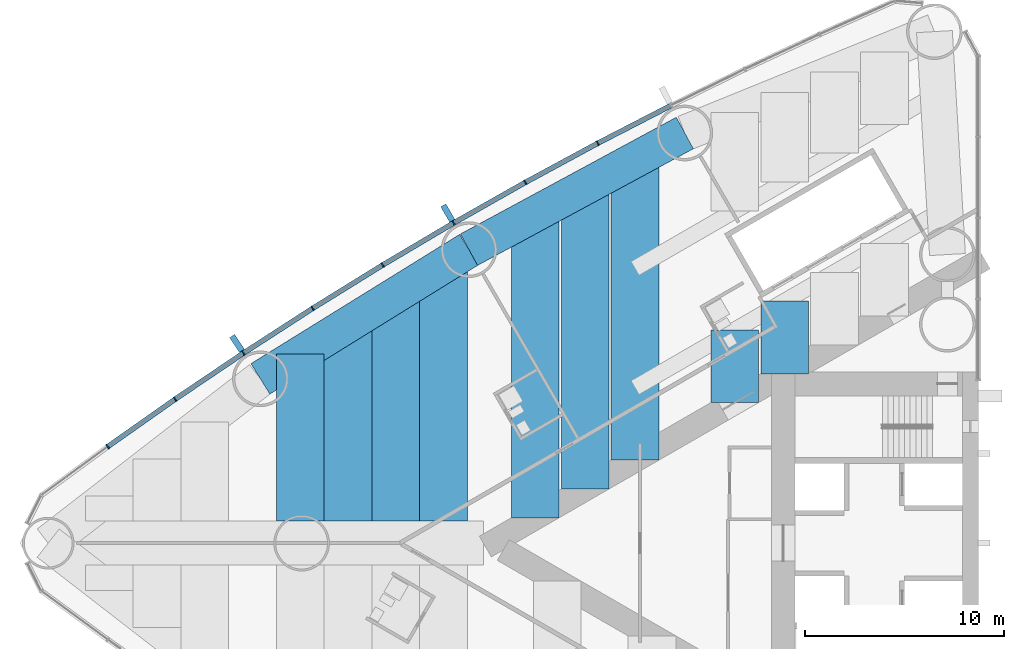
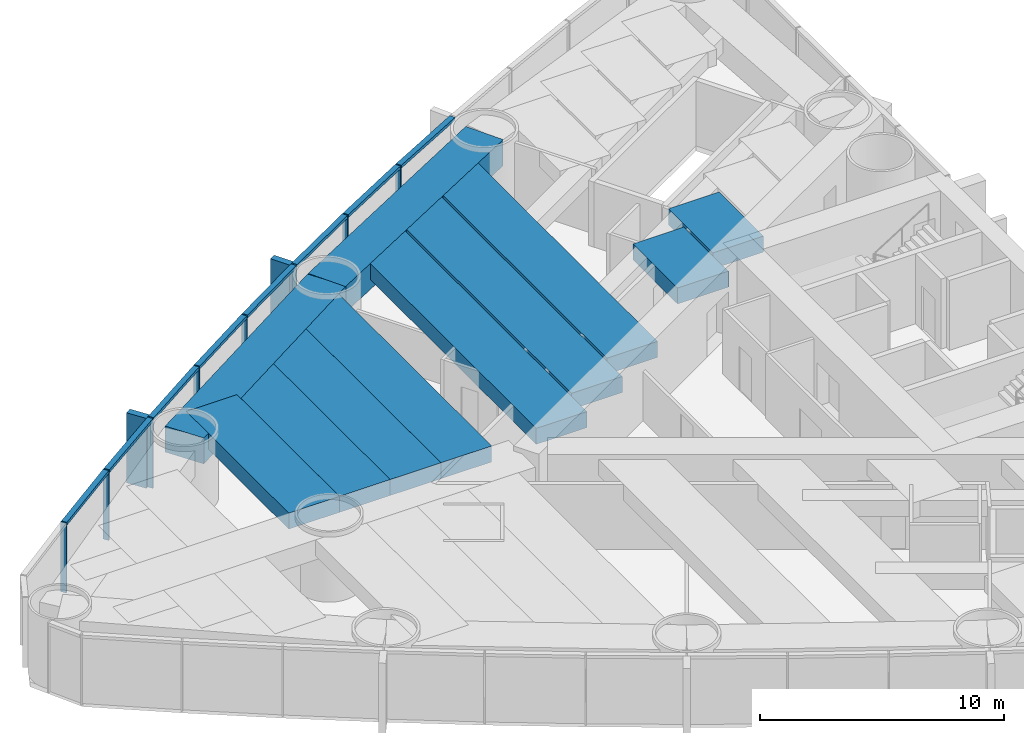
# One storey, part 4 of 18: 18 members, 11 beams, 1 element without a shape of its own.
"""IFC4 building model written with IfcOpenShell, lengths in metres."""

from ifc_helpers import new_model, si_unit, direction, frame, origin, origin_2d, place, context, subcontext, project, spatial, rectangle, extrude, material, material_profile, profile_set, type_object, element, aggregate, save


model = new_model("IFC4")

# Units and contexts
model_context = context("Model", 3, precision=1e-05, world=origin(), true_north=direction((0.0, 1.0)))
body_context = subcontext(model_context, "Body", "Model", "MODEL_VIEW")
ifc_project = project(units=[si_unit("LENGTHUNIT", "METRE"), si_unit("AREAUNIT", "SQUARE_METRE"), si_unit("VOLUMEUNIT", "CUBIC_METRE"), si_unit("PLANEANGLEUNIT", "RADIAN"), si_unit("MASSUNIT", "GRAM", prefix="KILO")], contexts=[model_context])

# Site, building, storey
site_placement = place(None, origin())
site = spatial("IfcSite", under=ifc_project, at=site_placement, CompositionType="ELEMENT")
building_placement = place(site_placement, origin())
building = spatial("IfcBuilding", under=site, at=building_placement, Name="Lancet Gate Hotel", CompositionType="ELEMENT")
storey_placement = place(building_placement, frame((0.0, 0.0, 46.0)))
storey = spatial("IfcBuildingStorey", under=building, at=storey_placement, Name="L11", CompositionType="ELEMENT", Elevation=46.0)

# Curtain wall, members
ifc_material_1 = material(Name="Aluminium curtain wall", Category="aluminium")
curtain_wall_type = type_object("IfcCurtainWallType", Name="Tower unitised curtain wall", PredefinedType="USERDEFINED", material=ifc_material_1)
curtain_wall_placement = place(storey_placement, origin())
curtain_wall = element("IfcCurtainWall", 1, at=curtain_wall_placement, inside=storey, type_object=curtain_wall_type, Name="T1 L11 curtain wall 2", ObjectType="UNITISED CURTAIN WALL", PredefinedType="USERDEFINED")
ifc_material_2 = material(Name="Aluminium mullion", Category="aluminium")
ifc_material_profile_1 = material_profile(ifc_material_2, rectangle(XDim=0.06494140625, YDim=0.25, at=origin_2d()), Name="MULLION 65x250")
ifc_profile_set_1 = profile_set([ifc_material_profile_1], Name="Aluminium mullion")
member_type_1 = type_object("IfcMemberType", Name="Aluminium mullion 65x250", PredefinedType="MULLION", material=ifc_profile_set_1)
member_1_placement = place(storey_placement, frame((-46.6220703125, 20.094970703125, 0.0), z_axis=(0.0, 0.0, 1.0), x_axis=(-0.884311132302, -0.466898084475, 0.0)))
member_1 = element("IfcMember", 2, at=member_1_placement, type_object=member_type_1, Name="T1 L11 curtain wall 2 mullion 6", PredefinedType="MULLION", context=body_context, shape_type="SweptSolid", body=[
    extrude(rectangle(XDim=0.06494140625, YDim=0.25, at=origin_2d()), origin(), (0.0, 0.0, 1.0), 3.5),
])
member_2_placement = place(storey_placement, frame((-50.26416015625, 18.1259765625, 0.0), z_axis=(0.0, 0.0, 1.0), x_axis=(-0.874991035403, -0.484139120464, 0.0)))
member_2 = element("IfcMember", 3, at=member_2_placement, type_object=member_type_1, Name="T1 L11 curtain wall 2 mullion 7", PredefinedType="MULLION", context=body_context, shape_type="SweptSolid", body=[
    extrude(rectangle(XDim=0.06494140625, YDim=0.25, at=origin_2d()), origin(), (0.0, 0.0, 1.0), 3.5),
])
member_3_placement = place(storey_placement, frame((-53.866943359375, 16.086181640625, 0.0), z_axis=(0.0, 0.0, 1.0), x_axis=(-0.86533483912, -0.501194190115, 0.0)))
member_3 = element("IfcMember", 4, at=member_3_placement, type_object=member_type_1, Name="T1 L11 curtain wall 2 mullion 8", PredefinedType="MULLION", context=body_context, shape_type="SweptSolid", body=[
    extrude(rectangle(XDim=0.06494140625, YDim=0.25, at=origin_2d()), origin(), (0.0, 0.0, 1.0), 3.5),
])
member_4_placement = place(storey_placement, frame((-57.42919921875, 13.97607421875, 0.0), z_axis=(0.0, 0.0, 1.0), x_axis=(-0.855346252548, -0.518056742309, 0.0)))
member_4 = element("IfcMember", 5, at=member_4_placement, type_object=member_type_1, Name="T1 L11 curtain wall 2 mullion 9", PredefinedType="MULLION", context=body_context, shape_type="SweptSolid", body=[
    extrude(rectangle(XDim=0.06494140625, YDim=0.25, at=origin_2d()), origin(), (0.0, 0.0, 1.0), 3.5),
])
member_5_placement = place(storey_placement, frame((-60.949462890625, 11.796630859375, 0.0), z_axis=(0.0, 0.0, 1.0), x_axis=(-0.845029112489, -0.534720299827, 0.0)))
member_5 = element("IfcMember", 6, at=member_5_placement, type_object=member_type_1, Name="T1 L11 curtain wall 2 mullion 10", PredefinedType="MULLION", context=body_context, shape_type="SweptSolid", body=[
    extrude(rectangle(XDim=0.06494140625, YDim=0.25, at=origin_2d()), origin(), (0.0, 0.0, 1.0), 3.5),
])
member_6_placement = place(storey_placement, frame((-64.42626953125, 9.548583984375, 0.0), z_axis=(0.0, 0.0, 1.0), x_axis=(-0.834387381945, -0.55117846189, 0.0)))
member_6 = element("IfcMember", 7, at=member_6_placement, type_object=member_type_1, Name="T1 L11 curtain wall 2 mullion 11", PredefinedType="MULLION", context=body_context, shape_type="SweptSolid", body=[
    extrude(rectangle(XDim=0.06494140625, YDim=0.25, at=origin_2d()), origin(), (0.0, 0.0, 1.0), 3.5),
])
member_7_placement = place(storey_placement, frame((-67.858154296875, 7.232666015625, 0.0), z_axis=(0.0, 0.0, 1.0), x_axis=(-0.823425148573, -0.56742490666, 0.0)))
member_7 = element("IfcMember", 8, at=member_7_placement, type_object=member_type_1, Name="T1 L11 curtain wall 2 mullion 12", PredefinedType="MULLION", context=body_context, shape_type="SweptSolid", body=[
    extrude(rectangle(XDim=0.06494140625, YDim=0.25, at=origin_2d()), origin(), (0.0, 0.0, 1.0), 3.5),
])
member_8_placement = place(storey_placement, frame((-71.244384765625, 4.85009765625, 0.0), z_axis=(0.0, 0.0, 1.0), x_axis=(-0.812146623168, -0.583453393578, 0.0)))
member_8 = element("IfcMember", 9, at=member_8_placement, type_object=member_type_1, Name="T1 L11 curtain wall 2 mullion 13", PredefinedType="MULLION", context=body_context, shape_type="SweptSolid", body=[
    extrude(rectangle(XDim=0.06494140625, YDim=0.25, at=origin_2d()), origin(), (0.0, 0.0, 1.0), 3.5),
])
ifc_material_3 = material(Name="Aluminium transom", Category="aluminium")
ifc_material_profile_2 = material_profile(ifc_material_3, rectangle(XDim=0.25, YDim=0.14990234375, at=origin_2d()), Name="TRANSOM 250x150")
ifc_profile_set_2 = profile_set([ifc_material_profile_2], Name="Aluminium transom")
member_type_2 = type_object("IfcMemberType", Name="Aluminium transom 250x150", PredefinedType="USERDEFINED", material=ifc_profile_set_2)
member_9_placement = place(storey_placement, frame((-42.970703125, 21.97705078125, 3.425048828125), z_axis=(-0.888859972399, -0.458178949175, 0.0), x_axis=(0.458178949175, -0.888859972399, 0.0)))
member_9 = element("IfcMember", 10, at=member_9_placement, type_object=member_type_2, Name="T1 L11 curtain wall 2 transom 5", ObjectType="TRANSOM", PredefinedType="USERDEFINED", context=body_context, shape_type="SweptSolid", body=[
    extrude(rectangle(XDim=0.25, YDim=0.14990234375, at=origin_2d()), origin(), (0.0, 0.0, 1.0), 4.0751953125),
])
member_10_placement = place(storey_placement, frame((-46.650634765625, 20.079345703125, 3.425048828125), z_axis=(-0.87971396408, -0.475503250675, 0.0), x_axis=(0.475503250675, -0.87971396408, 0.0)))
member_10 = element("IfcMember", 11, at=member_10_placement, type_object=member_type_2, Name="T1 L11 curtain wall 2 transom 6", ObjectType="TRANSOM", PredefinedType="USERDEFINED", context=body_context, shape_type="SweptSolid", body=[
    extrude(rectangle(XDim=0.25, YDim=0.14990234375, at=origin_2d()), origin(), (0.0, 0.0, 1.0), 4.0751953125),
])
member_11_placement = place(storey_placement, frame((-50.29248046875, 18.110107421875, 3.425048828125), z_axis=(-0.870197729943, -0.492702659625, 0.0), x_axis=(0.492702659625, -0.870197729943, 0.0)))
member_11 = element("IfcMember", 12, at=member_11_placement, type_object=member_type_2, Name="T1 L11 curtain wall 2 transom 7", ObjectType="TRANSOM", PredefinedType="USERDEFINED", context=body_context, shape_type="SweptSolid", body=[
    extrude(rectangle(XDim=0.25, YDim=0.14990234375, at=origin_2d()), origin(), (0.0, 0.0, 1.0), 4.0751953125),
])
member_12_placement = place(storey_placement, frame((-53.89501953125, 16.069580078125, 3.425048828125), z_axis=(-0.86039174806, -0.509633240547, 0.0), x_axis=(0.509633240547, -0.86039174806, 0.0)))
member_12 = element("IfcMember", 13, at=member_12_placement, type_object=member_type_2, Name="T1 L11 curtain wall 2 transom 8", ObjectType="TRANSOM", PredefinedType="USERDEFINED", context=body_context, shape_type="SweptSolid", body=[
    extrude(rectangle(XDim=0.25, YDim=0.14990234375, at=origin_2d()), origin(), (0.0, 0.0, 1.0), 4.0751953125),
])
member_13_placement = place(storey_placement, frame((-57.456787109375, 13.958984375, 3.425048828125), z_axis=(-0.850242165643, -0.526391736032, 0.0), x_axis=(0.526391736032, -0.850242165643, 0.0)))
member_13 = element("IfcMember", 14, at=member_13_placement, type_object=member_type_2, Name="T1 L11 curtain wall 2 transom 9", ObjectType="TRANSOM", PredefinedType="USERDEFINED", context=body_context, shape_type="SweptSolid", body=[
    extrude(rectangle(XDim=0.25, YDim=0.14990234375, at=origin_2d()), origin(), (0.0, 0.0, 1.0), 4.075439453125),
])
member_14_placement = place(storey_placement, frame((-60.976806640625, 11.779052734375, 3.425048828125), z_axis=(-0.839729242404, -0.543005340169, 0.0), x_axis=(0.543005340169, -0.839729242404, 0.0)))
member_14 = element("IfcMember", 15, at=member_14_placement, type_object=member_type_2, Name="T1 L11 curtain wall 2 transom 10", ObjectType="TRANSOM", PredefinedType="USERDEFINED", context=body_context, shape_type="SweptSolid", body=[
    extrude(rectangle(XDim=0.25, YDim=0.14990234375, at=origin_2d()), origin(), (0.0, 0.0, 1.0), 4.0751953125),
])
member_15_placement = place(storey_placement, frame((-64.453125, 9.5302734375, 3.425048828125), z_axis=(-0.828959086782, -0.559309245804, 0.0), x_axis=(0.559309245804, -0.828959086782, 0.0)))
member_15 = element("IfcMember", 16, at=member_15_placement, type_object=member_type_2, Name="T1 L11 curtain wall 2 transom 11", ObjectType="TRANSOM", PredefinedType="USERDEFINED", context=body_context, shape_type="SweptSolid", body=[
    extrude(rectangle(XDim=0.25, YDim=0.14990234375, at=origin_2d()), origin(), (0.0, 0.0, 1.0), 4.0751953125),
])
member_16_placement = place(storey_placement, frame((-67.884765625, 7.214111328125, 3.425048828125), z_axis=(-0.817833568345, -0.57545482402, 0.0), x_axis=(0.57545482402, -0.817833568345, 0.0)))
member_16 = element("IfcMember", 17, at=member_16_placement, type_object=member_type_2, Name="T1 L11 curtain wall 2 transom 12", ObjectType="TRANSOM", PredefinedType="USERDEFINED", context=body_context, shape_type="SweptSolid", body=[
    extrude(rectangle(XDim=0.25, YDim=0.14990234375, at=origin_2d()), origin(), (0.0, 0.0, 1.0), 4.075439453125),
])

# Beams
ifc_material_4 = material(Name="Concrete C50/60", Category="concrete")
ifc_material_profile_3 = material_profile(ifc_material_4, rectangle(XDim=1.800048828125, YDim=1.300048828125, at=origin_2d()), Name="RC 1800x1300")
ifc_profile_set_3 = profile_set([ifc_material_profile_3], Name="Concrete C50/60")
beam_type_1 = type_object("IfcBeamType", Name="Edge beam RC 1800x1300", PredefinedType="SPANDREL", material=ifc_profile_set_3)
for number, where, z_axis, x_axis, name in (
    (18, (-42.2451171875, 20.607421875, 2.60009765625), (-0.879692855603, -0.475542300749, 0.0), (0.475542300749, -0.879692855603, 0.0), "T1 edge beam EB1 L11"),
    (19, (-53.090087890625, 14.744873046875, 2.60009765625), (-0.850225894333, -0.526418016984, 0.0), (0.526418016984, -0.850225894333, 0.0), "T1 edge beam EB1 L11"),
):
    element("IfcBeam", number, at=place(storey_placement, frame(where, z_axis=z_axis, x_axis=x_axis)), inside=storey, type_object=beam_type_1, Name=name, PredefinedType="SPANDREL", context=body_context, shape_type="SweptSolid", body=[
        extrude(rectangle(XDim=1.800048828125, YDim=1.300048828125, at=origin_2d()), origin(), (0.0, 0.0, 1.0), 12.328125),
    ])

# Member
ifc_material_5 = material(Name="Precast concrete C50/60", Category="concrete")
ifc_material_profile_4 = material_profile(ifc_material_5, rectangle(XDim=0.300048828125, YDim=0.89990234375, at=origin_2d()), Name="FIN 300x900")
ifc_profile_set_4 = profile_set([ifc_material_profile_4], Name="Precast concrete C50/60")
member_type_3 = type_object("IfcMemberType", Name="Exposed concrete fin 300x900", PredefinedType="USERDEFINED", material=ifc_profile_set_4)
member_17_placement = place(storey_placement, frame((-54.1552734375, 16.583740234375, 0.0), z_axis=(0.0, 0.0, 1.0), x_axis=(-0.86533483912, -0.501194190115, 0.0)))
member_17 = element("IfcMember", 20, at=member_17_placement, type_object=member_type_3, Name="T1 L11 curtain wall 2 fin 8", ObjectType="FIN", PredefinedType="USERDEFINED", context=body_context, shape_type="SweptSolid", body=[
    extrude(rectangle(XDim=0.300048828125, YDim=0.89990234375, at=origin_2d()), origin(), (0.0, 0.0, 1.0), 3.5),
])

member_18_placement = place(storey_placement, frame((-64.7431640625, 10.0283203125, 0.0), z_axis=(0.0, 0.0, 1.0), x_axis=(-0.834387381945, -0.55117846189, 0.0)))
member_18 = element("IfcMember", 21, at=member_18_placement, type_object=member_type_3, Name="T1 L11 curtain wall 2 fin 11", ObjectType="FIN", PredefinedType="USERDEFINED", context=body_context, shape_type="SweptSolid", body=[
    extrude(rectangle(XDim=0.300048828125, YDim=0.89990234375, at=origin_2d()), origin(), (0.0, 0.0, 1.0), 3.5),
])

aggregate(curtain_wall, [member_1, member_2, member_3, member_17, member_4, member_5, member_6, member_18, member_7, member_8, member_9, member_10, member_11, member_12, member_13, member_14, member_15, member_16])

# Beams
ifc_material_6 = material(Name="Concrete C50/60", Category="concrete")
ifc_material_profile_5 = material_profile(ifc_material_6, rectangle(XDim=2.39990234375, YDim=0.800048828125, at=origin_2d()), Name="RC 2400x800")
ifc_profile_set_5 = profile_set([ifc_material_profile_5], Name="Concrete C50/60")
beam_type_2 = type_object("IfcBeamType", Name="Floor beam RC 2400x800", PredefinedType="BEAM", material=ifc_profile_set_5)
beam_1_placement = place(storey_placement, frame((-44.747802734375, 19.254638671875, 2.85009765625), z_axis=(0.0, -1.0, 0.0), x_axis=(1.0, 0.0, 0.0)))
element("IfcBeam", 22, at=beam_1_placement, inside=storey, type_object=beam_type_2, Name="T1 floor beam F09S L11", PredefinedType="BEAM", context=body_context, shape_type="SweptSolid", body=[
    extrude(rectangle(XDim=2.39990234375, YDim=0.800048828125, at=origin_2d()), origin(), (0.0, 0.0, 1.0), 15.0859375),
])
beam_2_placement = place(storey_placement, frame((-47.254638671875, 17.8994140625, 2.85009765625), z_axis=(0.0, -1.0, 0.0), x_axis=(1.0, 0.0, 0.0)))
element("IfcBeam", 23, at=beam_2_placement, inside=storey, type_object=beam_type_2, Name="T1 floor beam F10S L11", PredefinedType="BEAM", context=body_context, shape_type="SweptSolid", body=[
    extrude(rectangle(XDim=2.39990234375, YDim=0.800048828125, at=origin_2d()), origin(), (0.0, 0.0, 1.0), 15.177978515625),
])
beam_3_placement = place(storey_placement, frame((-49.761474609375, 16.54443359375, 2.85009765625), z_axis=(0.0, -1.0, 0.0), x_axis=(1.0, 0.0, 0.0)))
element("IfcBeam", 24, at=beam_3_placement, inside=storey, type_object=beam_type_2, Name="T1 floor beam F12S L11", PredefinedType="BEAM", context=body_context, shape_type="SweptSolid", body=[
    extrude(rectangle(XDim=2.39990234375, YDim=0.800048828125, at=origin_2d()), origin(), (0.0, 0.0, 1.0), 15.270263671875),
])
beam_4_placement = place(storey_placement, frame((-54.3681640625, 13.95361328125, 2.85009765625), z_axis=(0.0, -1.0, 0.0), x_axis=(1.0, 0.0, 0.0)))
element("IfcBeam", 25, at=beam_4_placement, inside=storey, type_object=beam_type_2, Name="T1 floor beam F13S L11", PredefinedType="BEAM", context=body_context, shape_type="SweptSolid", body=[
    extrude(rectangle(XDim=2.39990234375, YDim=0.800048828125, at=origin_2d()), origin(), (0.0, 0.0, 1.0), 12.853515625),
])
beam_5_placement = place(storey_placement, frame((-56.768310546875, 12.467529296875, 2.85009765625), z_axis=(0.0, -1.0, 0.0), x_axis=(1.0, 0.0, 0.0)))
element("IfcBeam", 26, at=beam_5_placement, inside=storey, type_object=beam_type_2, Name="T1 floor beam F15S L11", PredefinedType="BEAM", context=body_context, shape_type="SweptSolid", body=[
    extrude(rectangle(XDim=2.39990234375, YDim=0.800048828125, at=origin_2d()), origin(), (0.0, 0.0, 1.0), 11.367431640625),
])
beam_6_placement = place(storey_placement, frame((-59.168212890625, 10.981689453125, 2.85009765625), z_axis=(0.0, -1.0, 0.0), x_axis=(1.0, 0.0, 0.0)))
element("IfcBeam", 27, at=beam_6_placement, inside=storey, type_object=beam_type_2, Name="T1 floor beam F17S L11", PredefinedType="BEAM", context=body_context, shape_type="SweptSolid", body=[
    extrude(rectangle(XDim=2.39990234375, YDim=0.800048828125, at=origin_2d()), origin(), (0.0, 0.0, 1.0), 9.881591796875),
])
beam_7_placement = place(storey_placement, frame((-61.568359375, 9.495849609375, 2.85009765625), z_axis=(0.0, -1.0, 0.0), x_axis=(1.0, 0.0, 0.0)))
element("IfcBeam", 28, at=beam_7_placement, inside=storey, type_object=beam_type_2, Name="T1 floor beam F19S L11", PredefinedType="BEAM", context=body_context, shape_type="SweptSolid", body=[
    extrude(rectangle(XDim=2.39990234375, YDim=0.800048828125, at=origin_2d()), origin(), (0.0, 0.0, 1.0), 8.395751953125),
])
beam_8_placement = place(storey_placement, frame((-37.227294921875, 12.15625, 2.85009765625), z_axis=(0.0, -1.0, 0.0), x_axis=(1.0, 0.0, 0.0)))
element("IfcBeam", 29, at=beam_8_placement, inside=storey, type_object=beam_type_2, Name="T1 floor beam F05SB L11", PredefinedType="BEAM", context=body_context, shape_type="SweptSolid", body=[
    extrude(rectangle(XDim=2.39990234375, YDim=0.800048828125, at=origin_2d()), origin(), (0.0, 0.0, 1.0), 3.6455078125),
])
beam_9_placement = place(storey_placement, frame((-39.734130859375, 10.708740234375, 2.85009765625), z_axis=(0.0, -1.0, 0.0), x_axis=(1.0, 0.0, 0.0)))
element("IfcBeam", 30, at=beam_9_placement, inside=storey, type_object=beam_type_2, Name="T1 floor beam F07SB L11", PredefinedType="BEAM", context=body_context, shape_type="SweptSolid", body=[
    extrude(rectangle(XDim=2.39990234375, YDim=0.800048828125, at=origin_2d()), origin(), (0.0, 0.0, 1.0), 3.645263671875),
])

save(model, "model.ifc")
